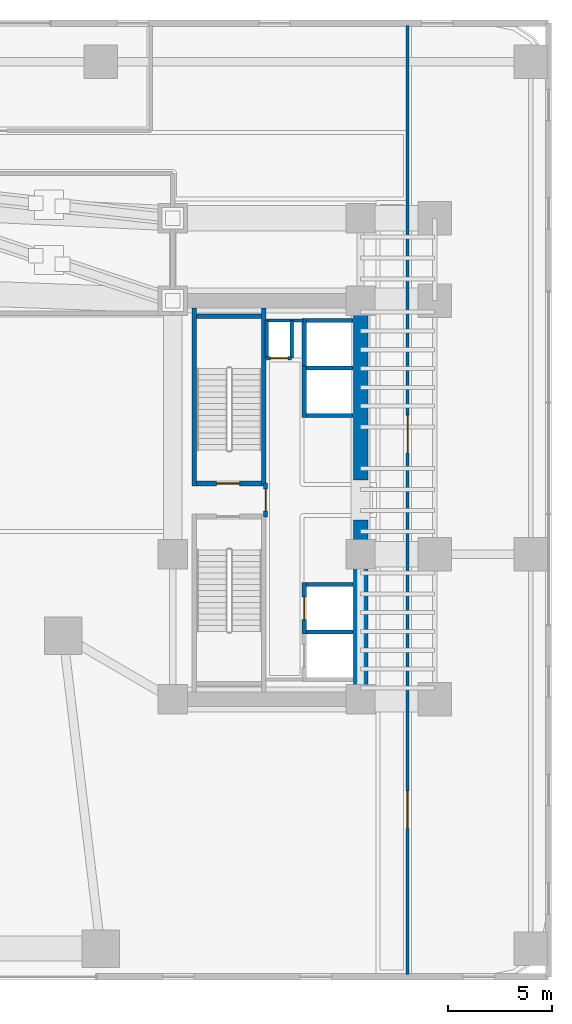
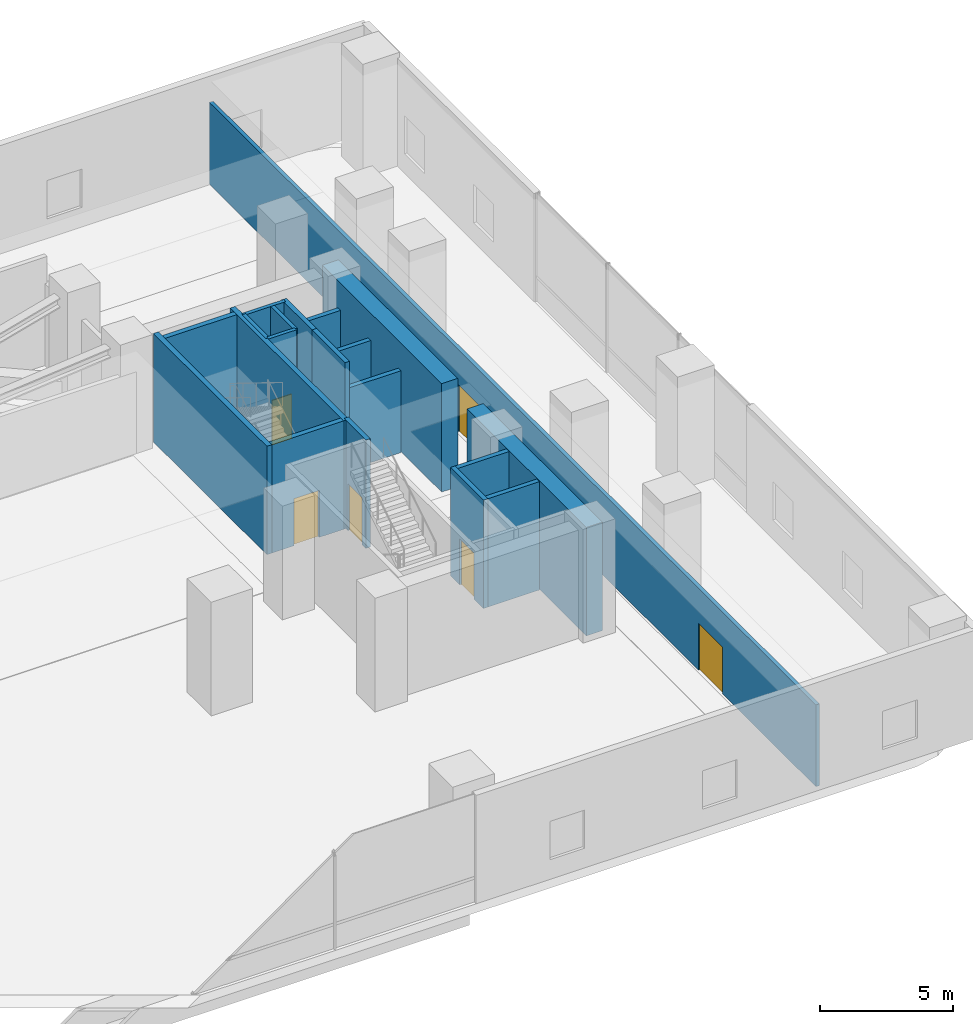
# One storey, part 28 of 41: 20 walls, 6 doors, 6 openings.
"""IFC4 building model written with IfcOpenShell, lengths in metres."""

from ifc_helpers import new_model, si_unit, direction, frame, frame_2d, origin, place, context, subcontext, project, spatial, rectangle, extrude, material, layer, layer_set, type_object, element, fill, save


model = new_model("IFC4")

# Units and contexts
model_context = context("Model", 3, precision=1e-05, world=origin(), true_north=direction((0.0, 1.0)))
body_context = subcontext(model_context, "Body", "Model", "MODEL_VIEW")
ifc_project = project(units=[si_unit("LENGTHUNIT", "METRE"), si_unit("AREAUNIT", "SQUARE_METRE"), si_unit("VOLUMEUNIT", "CUBIC_METRE"), si_unit("PLANEANGLEUNIT", "RADIAN"), si_unit("MASSUNIT", "GRAM", prefix="KILO")], contexts=[model_context])

# Site, building, storey
site_placement = place(None, origin())
site = spatial("IfcSite", under=ifc_project, at=site_placement, CompositionType="ELEMENT")
building_placement = place(site_placement, origin())
building = spatial("IfcBuilding", under=site, at=building_placement, Name="Valdorenza Pilgrim Sanctuary Tower", CompositionType="ELEMENT")
storey_placement = place(building_placement, frame((0.0, 0.0, 20.800048828125)))
storey = spatial("IfcBuildingStorey", under=building, at=storey_placement, Name="L04", CompositionType="ELEMENT", Elevation=20.800048828125)

# Wall, opening, door
ifc_material_1 = material(Name="Acoustic twin-stud gypsum partition", Category="gypsum")
ifc_layer_1 = layer(ifc_material_1, 0.159912109375, Name="Acoustic twin-stud gypsum partition")
ifc_layer_set_1 = layer_set([ifc_layer_1], Name="Acoustic twin-stud gypsum partition")
wall_type_1 = type_object("IfcWallType", Name="WAL-COR-160", PredefinedType="PARTITIONING", material=ifc_layer_set_1)
wall_1_placement = place(storey_placement, frame((20.35009765625, 6.800048828125, 0.0), z_axis=(0.0, 0.0, 1.0), x_axis=(1.0, 0.0, 0.0)))
wall_1 = element("IfcWall", 1, at=wall_1_placement, inside=storey, type_object=wall_type_1, Name="L04 Core B Riser South Wall", PredefinedType="PARTITIONING", context=body_context, shape_type="SweptSolid", body=[
    extrude(rectangle(XDim=1.199951171875, YDim=0.159912109375, at=frame_2d((0.60009765625, 0.0))), origin(), (0.0, 0.0, 1.0), 4.9599609375),
])
opening_1_placement = place(wall_1_placement, frame((0.175048828125, 0.0, 0.0)))
opening_1 = element("IfcOpeningElement", 2, at=opening_1_placement, cuts=wall_1, Name="Opening DR-RS1", PredefinedType="OPENING", context=body_context, shape_type="SweptSolid", body=[
    extrude(rectangle(XDim=0.85009765625, YDim=2.050048828125, at=frame_2d((0.425048828125, 1.02490234375))), frame((0.0, 0.0947265625, 0.0), z_axis=(0.0, -1.0, 0.0), x_axis=(1.0, 0.0, 0.0)), (0.0, 0.0, 1.0), 0.189697265625),
])
ifc_material_2 = material(Name="Painted galvanized steel", Category="steel")
door_type_1 = type_object("IfcDoorType", Name="DR-RSR-850", OperationType="NOTDEFINED", PredefinedType="DOOR", material=ifc_material_2)
door_1_placement = place(opening_1_placement, origin())
door_1 = element("IfcDoor", 3, at=door_1_placement, inside=storey, type_object=door_type_1, Name="L04 Core B Electrical Riser Door", OperationType="SINGLE_SWING_RIGHT", OverallHeight=2.050048828125, OverallWidth=0.85009765625, PredefinedType="DOOR", context=body_context, shape_type="SweptSolid", body=[
    extrude(rectangle(XDim=0.85009765625, YDim=2.050048828125, at=frame_2d((0.425048828125, 1.02490234375))), frame((0.0, 0.02490234375, 0.0), z_axis=(0.0, -1.0, 0.0), x_axis=(1.0, 0.0, 0.0)), (0.0, 0.0, 1.0), 0.050048828125),
])
fill(opening_1, door_1)

# Walls
for number, where, z_axis, x_axis, name in (
    (4, (21.550048828125, 6.800048828125, 0.0), (0.0, 0.0, 1.0), (0.0, 1.0, 0.0), "L04 Core B Riser East Wall"),
    (5, (20.35009765625, 6.800048828125, 0.0), (0.0, 0.0, 1.0), (0.0, 1.0, 0.0), "L04 Core B Riser West Wall"),
):
    element("IfcWall", number, at=place(storey_placement, frame(where, z_axis=z_axis, x_axis=x_axis)), inside=storey, type_object=wall_type_1, Name=name, PredefinedType="PARTITIONING", context=body_context, shape_type="SweptSolid", body=[
        extrude(rectangle(XDim=1.800048828125, YDim=0.159912109375, at=frame_2d((0.89990234375, 0.0))), origin(), (0.0, 0.0, 1.0), 4.9599609375),
    ])
wall_2_placement = place(storey_placement, frame((20.300048828125, 8.60009765625, 0.0), z_axis=(0.0, 0.0, 1.0), x_axis=(1.0, 0.0, 0.0)))
element("IfcWall", 6, at=wall_2_placement, inside=storey, type_object=wall_type_1, Name="L04 Core B Lift Hall North End Wall", PredefinedType="PARTITIONING", context=body_context, shape_type="SweptSolid", body=[
    extrude(rectangle(XDim=1.820068359375, YDim=0.159912109375, at=frame_2d((0.91015625, 0.0))), origin(), (0.0, 0.0, 1.0), 4.9599609375),
])

# Wall, openings, doors
wall_3_placement = place(storey_placement, frame((27.10009765625, -22.739990234375, 0.0), z_axis=(0.0, 0.0, 1.0), x_axis=(0.0, 1.0, 0.0)))
wall_3 = element("IfcWall", 7, at=wall_3_placement, inside=storey, type_object=wall_type_1, Name="L04 L04 East Hall Wall", PredefinedType="PARTITIONING", context=body_context, shape_type="SweptSolid", body=[
    extrude(rectangle(XDim=45.47998046875, YDim=0.159912109375, at=frame_2d((22.739990234375, 0.0))), origin(), (0.0, 0.0, 1.0), 3.744873046875),
])
opening_2_placement = place(wall_3_placement, frame((7.0, 0.0, 0.0)))
opening_2 = element("IfcOpeningElement", 8, at=opening_2_placement, cuts=wall_3, Name="Opening DR-HL1", PredefinedType="OPENING", context=body_context, shape_type="SweptSolid", body=[
    extrude(rectangle(XDim=1.800048828125, YDim=2.14990234375, at=frame_2d((0.89990234375, 1.074951171875))), frame((0.0, 0.0947265625, 0.0), z_axis=(0.0, -1.0, 0.0), x_axis=(1.0, 0.0, 0.0)), (0.0, 0.0, 1.0), 0.189697265625),
])
opening_3_placement = place(wall_3_placement, frame((25.0, 0.0, 0.0)))
opening_3 = element("IfcOpeningElement", 9, at=opening_3_placement, cuts=wall_3, Name="Opening DR-HL1", PredefinedType="OPENING", context=body_context, shape_type="SweptSolid", body=[
    extrude(rectangle(XDim=1.800048828125, YDim=2.14990234375, at=frame_2d((0.89990234375, 1.074951171875))), frame((0.0, 0.0947265625, 0.0), z_axis=(0.0, -1.0, 0.0), x_axis=(1.0, 0.0, 0.0)), (0.0, 0.0, 1.0), 0.189697265625),
])
ifc_material_3 = material(Name="Acoustic oak and vision-glass double door", Category="glass")
door_type_2 = type_object("IfcDoorType", Name="DR-HALL-1800", OperationType="NOTDEFINED", PredefinedType="DOOR", material=ifc_material_3)
door_2_placement = place(opening_2_placement, frame((1.800048828125, 0.0, 0.0), z_axis=(0.0, 0.0, 1.0), x_axis=(-1.0, 0.0, 0.0)))
door_2 = element("IfcDoor", 10, at=door_2_placement, inside=storey, type_object=door_type_2, Name="L04 Pilgrim Medical Clinic Office South Double Door", OperationType="DOUBLE_DOOR_SINGLE_SWING", OverallHeight=2.14990234375, OverallWidth=1.800048828125, PredefinedType="DOOR", context=body_context, shape_type="SweptSolid", body=[
    extrude(rectangle(XDim=1.800048828125, YDim=2.14990234375, at=frame_2d((0.89990234375, 1.074951171875))), frame((0.0, 0.02490234375, 0.0), z_axis=(0.0, -1.0, 0.0), x_axis=(1.0, 0.0, 0.0)), (0.0, 0.0, 1.0), 0.050048828125),
])
fill(opening_2, door_2)
door_3_placement = place(opening_3_placement, origin())
door_3 = element("IfcDoor", 11, at=door_3_placement, inside=storey, type_object=door_type_2, Name="L04 Pilgrim Medical Clinic Office North Double Door", OperationType="DOUBLE_DOOR_SINGLE_SWING", OverallHeight=2.14990234375, OverallWidth=1.800048828125, PredefinedType="DOOR", context=body_context, shape_type="SweptSolid", body=[
    extrude(rectangle(XDim=1.800048828125, YDim=2.14990234375, at=frame_2d((0.89990234375, 1.074951171875))), frame((0.0, 0.02490234375, 0.0), z_axis=(0.0, -1.0, 0.0), x_axis=(1.0, 0.0, 0.0)), (0.0, 0.0, 1.0), 0.050048828125),
])
fill(opening_3, door_3)

# Walls
ifc_material_4 = material(Name="Concrete C60/75", Category="concrete")
ifc_layer_2 = layer(ifc_material_4, 0.699951171875, Name="Concrete C60/75")
ifc_layer_set_2 = layer_set([ifc_layer_2], Name="Concrete C60/75")
wall_type_2 = type_object("IfcWallType", Name="WAL-COR-700", PredefinedType="SHEAR", material=ifc_layer_set_2)
for number, where, z_axis, x_axis, name in (
    (12, (24.85009765625, -9.89990234375, 0.0), (0.0, 0.0, 1.0), (0.0, 1.0, 0.0), "L04 Split Core B Shear Wall ES"),
    (13, (24.85009765625, 0.949951171875, 0.0), (0.0, 0.0, 1.0), (0.0, 1.0, 0.0), "L04 Split Core B Shear Wall EN"),
):
    element("IfcWall", number, at=place(storey_placement, frame(where, z_axis=z_axis, x_axis=x_axis)), inside=storey, type_object=wall_type_2, Name=name, PredefinedType="SHEAR", context=body_context, shape_type="SweptSolid", body=[
        extrude(rectangle(XDim=8.949951171875, YDim=0.699951171875, at=frame_2d((4.47509765625, 0.0))), origin(), (0.0, 0.0, 1.0), 4.9599609375),
    ])

# Wall, opening, door
ifc_material_5 = material(Name="Gypsum shaftwall partition", Category="gypsum")
ifc_layer_3 = layer(ifc_material_5, 0.199951171875, Name="Gypsum shaftwall partition")
ifc_layer_set_3 = layer_set([ifc_layer_3], Name="Gypsum shaftwall partition")
wall_type_3 = type_object("IfcWallType", Name="WAL-FFL-200", PredefinedType="PARTITIONING", material=ifc_layer_set_3)
wall_4_placement = place(storey_placement, frame((20.300048828125, -0.820068359375, 0.0), z_axis=(0.0, 0.0, 1.0), x_axis=(0.0, 1.0, 0.0)))
wall_4 = element("IfcWall", 14, at=wall_4_placement, inside=storey, type_object=wall_type_3, Name="L04 Core B Firefighting Lobby East Wall", PredefinedType="PARTITIONING", context=body_context, shape_type="SweptSolid", body=[
    extrude(rectangle(XDim=1.64013671875, YDim=0.199951171875, at=frame_2d((0.820068359375, 0.0))), origin(), (0.0, 0.0, 1.0), 4.9599609375),
])
opening_4_placement = place(wall_4_placement, frame((0.294921875, 0.0, 0.0)))
opening_4 = element("IfcOpeningElement", 15, at=opening_4_placement, cuts=wall_4, Name="Opening DR-FL1", PredefinedType="OPENING", context=body_context, shape_type="SweptSolid", body=[
    extrude(rectangle(XDim=1.050048828125, YDim=2.14990234375, at=frame_2d((0.52490234375, 1.074951171875))), frame((0.0, 0.11474609375, 0.0), z_axis=(0.0, -1.0, 0.0), x_axis=(1.0, 0.0, 0.0)), (0.0, 0.0, 1.0), 0.229736328125),
])
door_type_3 = type_object("IfcDoorType", Name="DR-FFL-1050", OperationType="NOTDEFINED", PredefinedType="DOOR", material=ifc_material_2)
door_4_placement = place(opening_4_placement, frame((1.050048828125, 0.0, 0.0), z_axis=(0.0, 0.0, 1.0), x_axis=(-1.0, 0.0, 0.0)))
door_4 = element("IfcDoor", 16, at=door_4_placement, inside=storey, type_object=door_type_3, Name="L04 Core B Firefighting Lobby Door", OperationType="SINGLE_SWING_LEFT", OverallHeight=2.14990234375, OverallWidth=1.050048828125, PredefinedType="DOOR", context=body_context, shape_type="SweptSolid", body=[
    extrude(rectangle(XDim=1.050048828125, YDim=2.14990234375, at=frame_2d((0.52490234375, 1.074951171875))), frame((0.0, 0.02490234375, 0.0), z_axis=(0.0, -1.0, 0.0), x_axis=(1.0, 0.0, 0.0)), (0.0, 0.0, 1.0), 0.050048828125),
])
fill(opening_4, door_4)

# Wall
ifc_material_6 = material(Name="Autoclaved aerated concrete blockwork", Category="masonry")
ifc_layer_4 = layer(ifc_material_6, 0.199951171875, Name="Autoclaved aerated concrete blockwork")
ifc_layer_set_4 = layer_set([ifc_layer_4], Name="Autoclaved aerated concrete blockwork")
wall_type_4 = type_object("IfcWallType", Name="WAL-SHF-200", PredefinedType="MOVABLE", material=ifc_layer_set_4)
wall_5_placement = place(storey_placement, frame((22.25, -6.324951171875, 0.0), z_axis=(0.0, 0.0, 1.0), x_axis=(1.0, 0.0, 0.0)))
element("IfcWall", 17, at=wall_5_placement, inside=storey, type_object=wall_type_4, Name="L04 Lift PL-03 Hoistway Wall North", PredefinedType="MOVABLE", context=body_context, shape_type="SweptSolid", body=[
    extrude(rectangle(XDim=2.22998046875, YDim=0.199951171875, at=frame_2d((1.114990234375, 0.0))), origin(), (0.0, 0.0, 1.0), 4.9599609375),
])

# Wall, opening, door
wall_6_placement = place(storey_placement, frame((22.14990234375, -6.425048828125, 0.0), z_axis=(0.0, 0.0, 1.0), x_axis=(0.0, 1.0, 0.0)))
wall_6 = element("IfcWall", 18, at=wall_6_placement, inside=storey, type_object=wall_type_4, Name="L04 Lift PL-04 Hoistway Wall West", PredefinedType="MOVABLE", context=body_context, shape_type="SweptSolid", body=[
    extrude(rectangle(XDim=2.47509765625, YDim=0.199951171875, at=frame_2d((1.237548828125, 0.0))), origin(), (0.0, 0.0, 1.0), 4.9599609375),
])
opening_5_placement = place(wall_6_placement, frame((0.6875, 0.0, 0.0)))
opening_5 = element("IfcOpeningElement", 19, at=opening_5_placement, cuts=wall_6, Name="Opening LD-01", PredefinedType="OPENING", context=body_context, shape_type="SweptSolid", body=[
    extrude(rectangle(XDim=1.10009765625, YDim=2.10009765625, at=frame_2d((0.550048828125, 1.050048828125))), frame((0.0, 0.11474609375, 0.0), z_axis=(0.0, -1.0, 0.0), x_axis=(1.0, 0.0, 0.0)), (0.0, 0.0, 1.0), 0.229736328125),
])
ifc_material_7 = material(Name="Brushed stainless steel Grade 316", Category="steel")
door_type_4 = type_object("IfcDoorType", Name="DR-LFT-1100", OperationType="DOUBLE_DOOR_SLIDING", PredefinedType="DOOR", material=ifc_material_7)
door_5_placement = place(opening_5_placement, origin())
door_5 = element("IfcDoor", 20, at=door_5_placement, inside=storey, type_object=door_type_4, Name="L04 Lift PL-04 Sliding Landing Door", OperationType="DOUBLE_DOOR_SLIDING", OverallHeight=2.10009765625, OverallWidth=1.10009765625, PredefinedType="DOOR", context=body_context, shape_type="SweptSolid", body=[
    extrude(rectangle(XDim=1.10009765625, YDim=2.10009765625, at=frame_2d((0.550048828125, 1.050048828125))), frame((0.0, 0.02490234375, 0.0), z_axis=(0.0, -1.0, 0.0), x_axis=(1.0, 0.0, 0.0)), (0.0, 0.0, 1.0), 0.050048828125),
])
fill(opening_5, door_5)

# Walls
wall_7_placement = place(storey_placement, frame((22.25, -4.050048828125, 0.0), z_axis=(0.0, 0.0, 1.0), x_axis=(1.0, 0.0, 0.0)))
element("IfcWall", 21, at=wall_7_placement, inside=storey, type_object=wall_type_4, Name="L04 Lift PL-04 Hoistway Wall North", PredefinedType="MOVABLE", context=body_context, shape_type="SweptSolid", body=[
    extrude(rectangle(XDim=2.22998046875, YDim=0.199951171875, at=frame_2d((1.114990234375, 0.0))), origin(), (0.0, 0.0, 1.0), 4.9599609375),
])
wall_8_placement = place(storey_placement, frame((22.14990234375, 3.949951171875, 0.0), z_axis=(0.0, 0.0, 1.0), x_axis=(0.0, 1.0, 0.0)))
element("IfcWall", 22, at=wall_8_placement, inside=storey, type_object=wall_type_4, Name="L04 Lift PL-07 Hoistway Wall West", PredefinedType="MOVABLE", context=body_context, shape_type="SweptSolid", body=[
    extrude(rectangle(XDim=2.47509765625, YDim=0.199951171875, at=frame_2d((1.237548828125, 0.0))), origin(), (0.0, 0.0, 1.0), 4.9599609375),
])
for number, where, z_axis, x_axis, name in (
    (23, (22.25, 4.050048828125, 0.0), (0.0, 0.0, 1.0), (1.0, 0.0, 0.0), "L04 Lift PL-07 Hoistway Wall South"),
    (24, (22.25, 6.324951171875, 0.0), (0.0, 0.0, 1.0), (1.0, 0.0, 0.0), "L04 Lift PL-07 Hoistway Wall North"),
):
    element("IfcWall", number, at=place(storey_placement, frame(where, z_axis=z_axis, x_axis=x_axis)), inside=storey, type_object=wall_type_4, Name=name, PredefinedType="MOVABLE", context=body_context, shape_type="SweptSolid", body=[
        extrude(rectangle(XDim=2.22998046875, YDim=0.199951171875, at=frame_2d((1.114990234375, 0.0))), origin(), (0.0, 0.0, 1.0), 3.744873046875),
    ])
wall_9_placement = place(storey_placement, frame((22.14990234375, 6.22509765625, 0.0), z_axis=(0.0, 0.0, 1.0), x_axis=(0.0, 1.0, 0.0)))
element("IfcWall", 25, at=wall_9_placement, inside=storey, type_object=wall_type_4, Name="L04 Lift PL-08 Hoistway Wall West", PredefinedType="MOVABLE", context=body_context, shape_type="SweptSolid", body=[
    extrude(rectangle(XDim=2.474853515625, YDim=0.199951171875, at=frame_2d((1.2373046875, 0.0))), origin(), (0.0, 0.0, 1.0), 4.9599609375),
])
wall_10_placement = place(storey_placement, frame((22.25, 8.60009765625, 0.0), z_axis=(0.0, 0.0, 1.0), x_axis=(1.0, 0.0, 0.0)))
element("IfcWall", 26, at=wall_10_placement, inside=storey, type_object=wall_type_4, Name="L04 Lift PL-08 Hoistway Wall North", PredefinedType="MOVABLE", context=body_context, shape_type="SweptSolid", body=[
    extrude(rectangle(XDim=2.22998046875, YDim=0.199951171875, at=frame_2d((1.114990234375, 0.0))), origin(), (0.0, 0.0, 1.0), 3.744873046875),
])
ifc_material_8 = material(Name="Concrete C40/50", Category="concrete")
ifc_layer_5 = layer(ifc_material_8, 0.219970703125, Name="Concrete C40/50")
ifc_layer_set_5 = layer_set([ifc_layer_5], Name="Concrete C40/50")
wall_type_5 = type_object("IfcWallType", Name="WAL-STR-SHF-220", PredefinedType="SHEAR", material=ifc_layer_set_5)
for number, where, z_axis, x_axis, name in (
    (27, (16.889892578125, 0.679931640625, 0.0), (0.0, 0.0, 1.0), (0.0, 1.0, 0.0), "L04 ST-B1 Structural Stairwell Wall W"),
    (28, (20.219970703125, 0.679931640625, 0.0), (0.0, 0.0, 1.0), (0.0, 1.0, 0.0), "L04 ST-B1 Structural Stairwell Wall E"),
):
    element("IfcWall", number, at=place(storey_placement, frame(where, z_axis=z_axis, x_axis=x_axis)), inside=storey, type_object=wall_type_5, Name=name, PredefinedType="SHEAR", context=body_context, shape_type="SweptSolid", body=[
        extrude(rectangle(XDim=8.52001953125, YDim=0.219970703125, at=frame_2d((4.260009765625, 0.0))), origin(), (0.0, 0.0, 1.0), 4.9599609375),
    ])

# Wall, opening, door
wall_11_placement = place(storey_placement, frame((17.0, 0.7900390625, 0.0), z_axis=(0.0, 0.0, 1.0), x_axis=(1.0, 0.0, 0.0)))
wall_11 = element("IfcWall", 29, at=wall_11_placement, inside=storey, type_object=wall_type_5, Name="L04 ST-B1 Structural Stairwell Wall S", PredefinedType="SHEAR", context=body_context, shape_type="SweptSolid", body=[
    extrude(rectangle(XDim=3.110107421875, YDim=0.219970703125, at=frame_2d((1.55517578125, 0.0))), origin(), (0.0, 0.0, 1.0), 4.9599609375),
])
opening_6_placement = place(wall_11_placement, frame((0.949951171875, 0.0, 0.0)))
opening_6 = element("IfcOpeningElement", 30, at=opening_6_placement, cuts=wall_11, Name="Opening DR-ST1", PredefinedType="OPENING", context=body_context, shape_type="SweptSolid", body=[
    extrude(rectangle(XDim=1.10009765625, YDim=2.14990234375, at=frame_2d((0.550048828125, 1.074951171875))), frame((0.0, 0.125, 0.0), z_axis=(0.0, -1.0, 0.0), x_axis=(1.0, 0.0, 0.0)), (0.0, 0.0, 1.0), 0.249755859375),
])
door_type_5 = type_object("IfcDoorType", Name="DR-STAIR-1100", OperationType="NOTDEFINED", PredefinedType="DOOR", material=ifc_material_2)
door_6_placement = place(opening_6_placement, origin())
door_6 = element("IfcDoor", 31, at=door_6_placement, inside=storey, type_object=door_type_5, Name="L04 Exit Stair ST-B1 Door", OperationType="SINGLE_SWING_RIGHT", OverallHeight=2.14990234375, OverallWidth=1.10009765625, PredefinedType="DOOR", context=body_context, shape_type="SweptSolid", body=[
    extrude(rectangle(XDim=1.10009765625, YDim=2.14990234375, at=frame_2d((0.550048828125, 1.074951171875))), frame((0.0, 0.02490234375, 0.0), z_axis=(0.0, -1.0, 0.0), x_axis=(1.0, 0.0, 0.0)), (0.0, 0.0, 1.0), 0.050048828125),
])
fill(opening_6, door_6)

# Wall
wall_12_placement = place(storey_placement, frame((17.0, 8.81005859375, 0.0), z_axis=(0.0, 0.0, 1.0), x_axis=(1.0, 0.0, 0.0)))
element("IfcWall", 32, at=wall_12_placement, inside=storey, type_object=wall_type_5, Name="L04 ST-B1 Structural Stairwell Wall N", PredefinedType="SHEAR", context=body_context, shape_type="SweptSolid", body=[
    extrude(rectangle(XDim=3.110107421875, YDim=0.219970703125, at=frame_2d((1.55517578125, 0.0))), origin(), (0.0, 0.0, 1.0), 4.9599609375),
])

save(model, "model.ifc")
